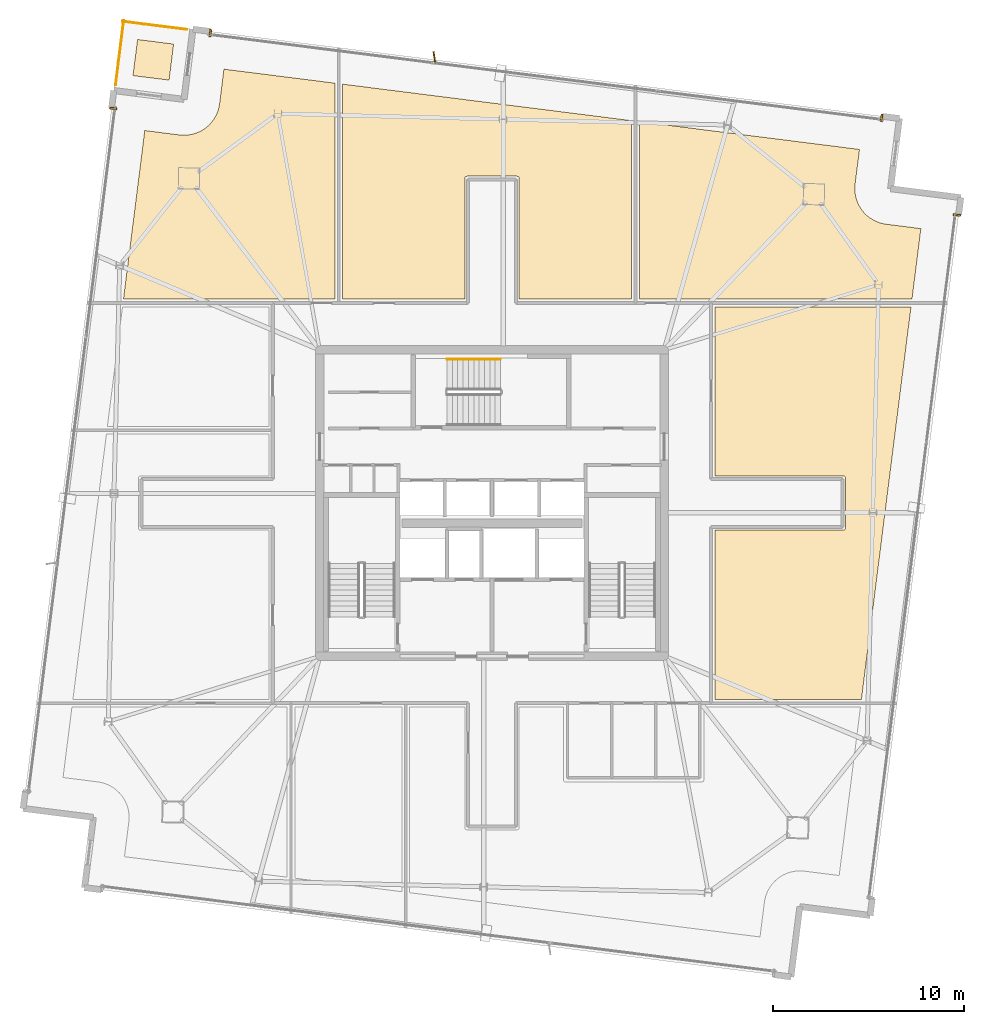
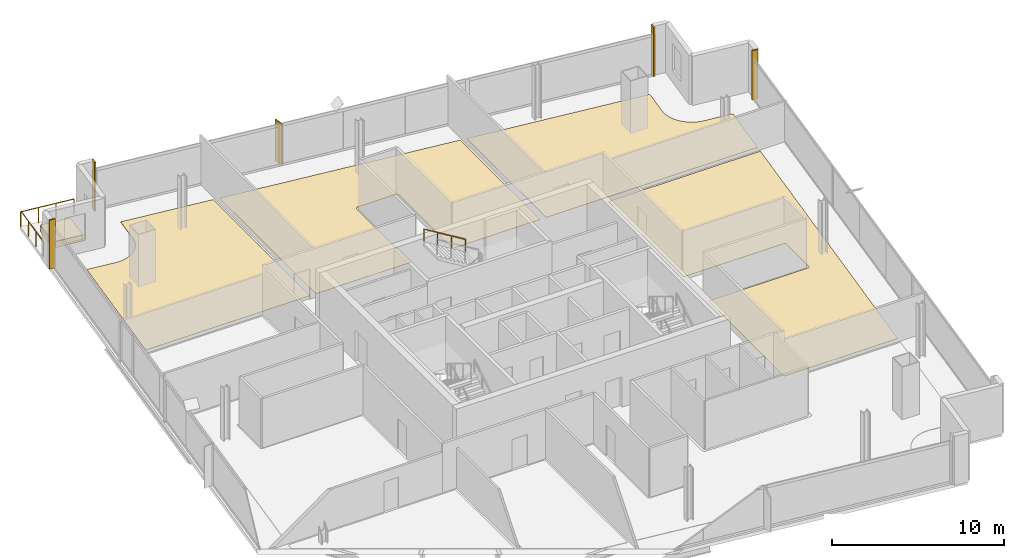
# One storey, part 23 of 23: 9 coverings, 3 railings, 1 shading device.
"""IFC4 building model written with IfcOpenShell, lengths in metres."""

from ifc_helpers import new_model, si_unit, direction, frame, origin, origin_2d, place, context, subcontext, project, spatial, polyline, rectangle, outline, extrude, source, transform, mapped, material, layer, layer_set, type_object, element, save


model = new_model("IFC4")

# Units and contexts
model_context = context("Model", 3, precision=1e-05, world=origin(), true_north=direction((0.0, 1.0)))
body_context = subcontext(model_context, "Body", "Model", "MODEL_VIEW")
ifc_project = project(units=[si_unit("LENGTHUNIT", "METRE"), si_unit("AREAUNIT", "SQUARE_METRE"), si_unit("VOLUMEUNIT", "CUBIC_METRE"), si_unit("PLANEANGLEUNIT", "RADIAN"), si_unit("MASSUNIT", "GRAM", prefix="KILO")], contexts=[model_context])

# Site, building, storey
site_placement = place(None, origin())
site = spatial("IfcSite", under=ifc_project, at=site_placement, CompositionType="ELEMENT")
building_placement = place(site_placement, origin())
building = spatial("IfcBuilding", under=site, at=building_placement, Name="Haldenkirk Collegiate Tower", CompositionType="ELEMENT")
storey_placement = place(building_placement, frame((0.0, 0.0, 306.449951171875)))
storey = spatial("IfcBuildingStorey", under=building, at=storey_placement, Name="L77", CompositionType="ELEMENT", Elevation=306.449951171875)

# Coverings
ifc_material_1 = material(Name="Polished collegiate terrazzo", Category="concrete")
ifc_layer_1 = layer(ifc_material_1, 0.02490234375)
ifc_layer_set_1 = layer_set([ifc_layer_1], Name="Polished collegiate terrazzo")
covering_type_1 = type_object("IfcCoveringType", Name="COV-FLOOR-TERRAZZO", PredefinedType="FLOORING", material=ifc_layer_set_1)
covering_1_placement = place(storey_placement, origin())
element("IfcCovering", 1, at=covering_1_placement, inside=storey, type_object=covering_type_1, Name="L77 academic room finish 04", PredefinedType="FLOORING", context=body_context, shape_type="SweptSolid", body=[
    extrude(outline(polyline([(19.68115234375, 45.226806640625), (19.68701171875, 45.226318359375), (19.858154296875, 45.213134765625), (19.8701171875, 45.212890625), (20.041748046875, 45.216552734375), (20.053466796875, 45.217529296875), (20.223876953125, 45.238037109375), (20.235595703125, 45.239990234375), (20.4033203125, 45.277099609375), (20.41455078125, 45.2802734375), (20.577880859375, 45.33349609375), (20.5888671875, 45.337890625), (20.74609375, 45.406982421875), (20.756591796875, 45.412109375), (20.90625, 45.496337890625), (20.916259765625, 45.502685546875), (21.056884765625, 45.60107421875), (21.066162109375, 45.6083984375), (21.196533203125, 45.72021484375), (21.205078125, 45.728271484375), (21.323974609375, 45.852294921875), (21.331787109375, 45.861083984375), (21.437744140625, 45.99609375), (21.444580078125, 46.005859375), (21.536865234375, 46.150634765625), (21.54248046875, 46.160888671875), (21.620361328125, 46.31396484375), (21.625, 46.32470703125), (21.6875, 46.48486328125), (21.691162109375, 46.49609375), (21.7373046875, 46.66162109375), (21.739990234375, 46.6728515625), (21.77001953125, 46.842041015625), (21.770751953125, 46.847900390625), (22.0, 48.663330078125), (27.800048828125, 47.9306640625), (27.800048828125, 36.64990234375), (16.7529296875, 36.64990234375), (17.865478515625, 45.456298828125), (19.68115234375, 45.226806640625)])), origin(), (0.0, 0.0, 1.0), 0.025146484375),
])
covering_2_placement = place(storey_placement, origin())
element("IfcCovering", 2, at=covering_2_placement, inside=storey, type_object=covering_type_1, Name="L77 academic room finish 06", PredefinedType="FLOORING", context=body_context, shape_type="SweptSolid", body=[
    extrude(outline(polyline([(55.1962890625, 44.4697265625), (54.966796875, 42.654296875), (54.96630859375, 42.6484375), (54.953125, 42.47705078125), (54.952880859375, 42.46533203125), (54.95654296875, 42.293701171875), (54.95751953125, 42.281982421875), (54.977783203125, 42.111328125), (54.979736328125, 42.099853515625), (55.016845703125, 41.93212890625), (55.02001953125, 41.9208984375), (55.073486328125, 41.757568359375), (55.07763671875, 41.74658203125), (55.146728515625, 41.58935546875), (55.152099609375, 41.578857421875), (55.236083984375, 41.42919921875), (55.242431640625, 41.419189453125), (55.341064453125, 41.2783203125), (55.34814453125, 41.26904296875), (55.4599609375, 41.138916015625), (55.468017578125, 41.130126953125), (55.592041015625, 41.011474609375), (55.60107421875, 41.003662109375), (55.736083984375, 40.897705078125), (55.74560546875, 40.890869140625), (55.890380859375, 40.798583984375), (55.900634765625, 40.792724609375), (56.053955078125, 40.715087890625), (56.064697265625, 40.710205078125), (56.224609375, 40.64794921875), (56.23583984375, 40.644287109375), (56.4013671875, 40.597900390625), (56.41259765625, 40.59521484375), (56.581787109375, 40.5654296875), (56.587646484375, 40.564453125), (58.4033203125, 40.335205078125), (57.937744140625, 36.64990234375), (43.699951171875, 36.64990234375), (43.699951171875, 45.922119140625), (55.1962890625, 44.4697265625)])), origin(), (0.0, 0.0, 1.0), 0.025146484375),
])
ifc_material_2 = material(Name="Engineered collegiate oak acoustic flooring", Category="wood")
ifc_layer_2 = layer(ifc_material_2, 0.02197265625)
ifc_layer_set_2 = layer_set([ifc_layer_2], Name="Engineered collegiate oak acoustic flooring")
covering_type_2 = type_object("IfcCoveringType", Name="COV-FLOOR-TIMBER", PredefinedType="FLOORING", material=ifc_layer_set_2)
covering_3_placement = place(storey_placement, origin())
element("IfcCovering", 3, at=covering_3_placement, inside=storey, type_object=covering_type_2, Name="L77 academic room finish 05", PredefinedType="FLOORING", context=body_context, shape_type="SweptSolid", body=[
    extrude(outline(polyline([(43.300048828125, 45.97265625), (43.300048828125, 36.64990234375), (37.419921875, 36.64990234375), (37.419921875, 42.949951171875), (37.41943359375, 42.9619140625), (37.417724609375, 42.973388671875), (37.414794921875, 42.98486328125), (37.410888671875, 42.995849609375), (37.40576171875, 43.006591796875), (37.39990234375, 43.0166015625), (37.392822265625, 43.026123046875), (37.385009765625, 43.034912109375), (37.376220703125, 43.042724609375), (37.36669921875, 43.0498046875), (37.356689453125, 43.055908203125), (37.345947265625, 43.060791015625), (37.334716796875, 43.064697265625), (37.323486328125, 43.067626953125), (37.311767578125, 43.0693359375), (37.300048828125, 43.070068359375), (34.699951171875, 43.070068359375), (34.688232421875, 43.0693359375), (34.676513671875, 43.067626953125), (34.665283203125, 43.064697265625), (34.654052734375, 43.060791015625), (34.643310546875, 43.055908203125), (34.63330078125, 43.0498046875), (34.623779296875, 43.042724609375), (34.614990234375, 43.034912109375), (34.607177734375, 43.026123046875), (34.60009765625, 43.0166015625), (34.59423828125, 43.006591796875), (34.589111328125, 42.995849609375), (34.585205078125, 42.98486328125), (34.582275390625, 42.973388671875), (34.58056640625, 42.9619140625), (34.580078125, 42.949951171875), (34.580078125, 36.64990234375), (28.199951171875, 36.64990234375), (28.199951171875, 47.880126953125), (43.300048828125, 45.97265625)])), origin(), (0.0, 0.0, 1.0), 0.02197265625),
])
covering_4_placement = place(storey_placement, origin())
element("IfcCovering", 4, at=covering_4_placement, inside=storey, type_object=covering_type_2, Name="L77 academic room finish 09", PredefinedType="FLOORING", context=body_context, shape_type="SweptSolid", body=[
    extrude(outline(polyline([(54.35009765625, 24.580078125), (54.36181640625, 24.58056640625), (54.373291015625, 24.582275390625), (54.384765625, 24.585205078125), (54.39599609375, 24.589111328125), (54.406494140625, 24.59423828125), (54.416748046875, 24.60009765625), (54.426025390625, 24.607177734375), (54.434814453125, 24.614990234375), (54.44287109375, 24.623779296875), (54.44970703125, 24.63330078125), (54.455810546875, 24.643310546875), (54.4609375, 24.654052734375), (54.46484375, 24.665283203125), (54.4677734375, 24.676513671875), (54.469482421875, 24.688232421875), (54.469970703125, 24.699951171875), (54.469970703125, 27.300048828125), (54.469482421875, 27.311767578125), (54.4677734375, 27.323486328125), (54.46484375, 27.334716796875), (54.4609375, 27.345947265625), (54.455810546875, 27.356689453125), (54.44970703125, 27.36669921875), (54.44287109375, 27.376220703125), (54.434814453125, 27.385009765625), (54.426025390625, 27.392822265625), (54.416748046875, 27.39990234375), (54.406494140625, 27.40576171875), (54.39599609375, 27.410888671875), (54.384765625, 27.414794921875), (54.373291015625, 27.417724609375), (54.36181640625, 27.41943359375), (54.35009765625, 27.419921875), (47.64990234375, 27.419921875), (47.64990234375, 36.25), (57.88720703125, 36.25), (55.297607421875, 15.75), (47.64990234375, 15.75), (47.64990234375, 24.580078125), (54.35009765625, 24.580078125)])), origin(), (0.0, 0.0, 1.0), 0.02197265625),
])
ifc_material_3 = material(Name="Precast concrete f'c 40 MPa", Category="concrete")
ifc_layer_3 = layer(ifc_material_3, 0.449951171875)
ifc_layer_set_3 = layer_set([ifc_layer_3], Name="Precast concrete f'c 40 MPa")
covering_type_3 = type_object("IfcCoveringType", Name="COV-PLANTER-450", PredefinedType="USERDEFINED", material=ifc_layer_set_3)
covering_5_placement = place(storey_placement, origin())
element("IfcCovering", 5, at=covering_5_placement, inside=storey, type_object=covering_type_3, Name="L77 planted garden planter bed", ObjectType="PLANTER", PredefinedType="USERDEFINED", context=body_context, shape_type="SweptSolid", body=[
    extrude(outline(polyline([(19.135498046875, 48.087890625), (17.250244140625, 48.325927734375), (17.488525390625, 50.2109375), (19.37353515625, 49.972900390625), (19.135498046875, 48.087890625)])), origin(), (0.0, 0.0, 1.0), 0.449951171875),
])

# Railings
ifc_material_4 = material(Name="Painted architectural tubular steel", Category="steel")
railing_type_1 = type_object("IfcRailingType", Name="RLG-STAIR-HANDRAIL-900", PredefinedType="HANDRAIL", material=ifc_material_4)
railing_1_placement = place(storey_placement, frame((36.449951171875, 33.5, 2.04541015625)))
element("IfcRailing", 6, at=railing_1_placement, inside=storey, type_object=railing_type_1, Name="L77 ST-3 stair handrail 2", PredefinedType="HANDRAIL", context=body_context, shape_type="SweptSolid", body=[
    extrude(rectangle(XDim=0.048095703125, YDim=0.048095703125, at=origin_2d()), frame((0.0, 0.0, 0.8759765625), z_axis=(-0.854169791009, 0.0, 0.51999420009), x_axis=(0.0, -1.0, 0.0)), (0.0, 0.0, 1.0), 3.278076171875),
    extrude(rectangle(XDim=0.0419921875, YDim=0.0419921875, at=origin_2d()), origin(), (0.0, 0.0, 1.0), 0.851806640625),
    extrude(rectangle(XDim=0.0419921875, YDim=0.0419921875, at=origin_2d()), frame((-0.933349609375, 0.0, 0.568115234375)), (0.0, 0.0, 1.0), 0.851806640625),
    extrude(rectangle(XDim=0.0419921875, YDim=0.0419921875, at=origin_2d()), frame((-1.86669921875, 0.0, 1.136474609375)), (0.0, 0.0, 1.0), 0.851806640625),
    extrude(rectangle(XDim=0.0419921875, YDim=0.0419921875, at=origin_2d()), frame((-2.800048828125, 0.0, 1.70458984375)), (0.0, 0.0, 1.0), 0.851806640625),
])
ifc_material_5 = material(Name="Anodised architectural bronze aluminium", Category="aluminium")
railing_type_2 = type_object("IfcRailingType", Name="RLG-TERR-BALUSTRADE-1100", PredefinedType="BALUSTRADE", material=ifc_material_5)
railing_2_placement = place(storey_placement, frame((20.05419921875, 50.733642578125, 0.0)))
element("IfcRailing", 7, at=railing_2_placement, inside=storey, type_object=railing_type_2, Name="L77 terrace guard balustrade 2-1", PredefinedType="BALUSTRADE", context=body_context, shape_type="SweptSolid", body=[
    extrude(rectangle(XDim=0.048095703125, YDim=0.048095703125, at=origin_2d()), frame((0.0, 0.0, 1.076171875), z_axis=(-0.992115904942, 0.125323705502, 0.0), x_axis=(-0.125323705502, -0.992115904942, 0.0)), (0.0, 0.0, 1.0), 3.3798828125),
    extrude(rectangle(XDim=0.0419921875, YDim=0.0419921875, at=origin_2d()), origin(), (0.0, 0.0, 1.0), 1.052001953125),
    extrude(rectangle(XDim=0.0419921875, YDim=0.0419921875, at=origin_2d()), frame((-1.11767578125, 0.14111328125, 0.0)), (0.0, 0.0, 1.0), 1.052001953125),
    extrude(rectangle(XDim=0.0419921875, YDim=0.0419921875, at=origin_2d()), frame((-2.235595703125, 0.282470703125, 0.0)), (0.0, 0.0, 1.0), 1.052001953125),
    extrude(rectangle(XDim=0.0419921875, YDim=0.0419921875, at=origin_2d()), frame((-3.353271484375, 0.423583984375, 0.0)), (0.0, 0.0, 1.0), 1.052001953125),
])
railing_3_placement = place(storey_placement, frame((16.767822265625, 51.209228515625, 0.0)))
element("IfcRailing", 8, at=railing_3_placement, inside=storey, type_object=railing_type_2, Name="L77 terrace guard balustrade 3-1", PredefinedType="BALUSTRADE", context=body_context, shape_type="SweptSolid", body=[
    extrude(rectangle(XDim=0.048095703125, YDim=0.048095703125, at=origin_2d()), frame((0.0, 0.0, 1.076171875), z_axis=(-0.125323705502, -0.992115904942, 0.0), x_axis=(0.992115904942, -0.125323705502, 0.0)), (0.0, 0.0, 1.0), 3.3798828125),
    extrude(rectangle(XDim=0.0419921875, YDim=0.0419921875, at=origin_2d()), origin(), (0.0, 0.0, 1.0), 1.052001953125),
    extrude(rectangle(XDim=0.0419921875, YDim=0.0419921875, at=origin_2d()), frame((-0.14111328125, -1.11767578125, 0.0)), (0.0, 0.0, 1.0), 1.052001953125),
    extrude(rectangle(XDim=0.0419921875, YDim=0.0419921875, at=origin_2d()), frame((-0.282470703125, -2.235595703125, 0.0)), (0.0, 0.0, 1.0), 1.052001953125),
    extrude(rectangle(XDim=0.0419921875, YDim=0.0419921875, at=origin_2d()), frame((-0.423583984375, -3.353271484375, 0.0)), (0.0, 0.0, 1.0), 1.052001953125),
])

# Coverings
ifc_layer_4 = layer(ifc_material_5, 0.06005859375)
ifc_layer_set_4 = layer_set([ifc_layer_4], Name="Anodised architectural bronze aluminium")
covering_type_4 = type_object("IfcCoveringType", Name="COV-CLAD-BRONZE-60", PredefinedType="CLADDING", material=ifc_layer_set_4)
shared_shape_1 = source(origin(), body_context, "Body", "SweptSolid", [
    extrude(rectangle(XDim=0.10009765625, YDim=0.3798828125, at=origin_2d()), origin(), (0.0, 0.0, 1.0), 3.489990234375),
])
for number, where, z_axis, x_axis, name in (
    (9, (60.287109375, 41.044677734375, 0.0), (0.0, 0.0, 1.0), (-0.125333233564, -0.992114701314, 0.0), "L77 recessed curtain-wall bronze jamb closure SJL"),
    (10, (21.29052734375, 50.547119140625, 0.0), (0.0, 0.0, 1.0), (0.992114701314, -0.125333233564, 0.0), "L77 recessed curtain-wall bronze jamb closure EJL"),
    (11, (56.35205078125, 46.117919921875, 0.0), (0.0, 0.0, 1.0), (0.992114701314, -0.125333233564, 0.0), "L77 recessed curtain-wall bronze jamb closure EJR"),
    (12, (16.21728515625, 46.612060546875, 0.0), (0.0, 0.0, 1.0), (0.125333233564, 0.992114701314, 0.0), "L77 recessed curtain-wall bronze jamb closure NJR"),
):
    element("IfcCovering", number, at=place(storey_placement, frame(where, z_axis=z_axis, x_axis=x_axis)), inside=storey, type_object=covering_type_4, Name=name, PredefinedType="CLADDING", context=body_context, shape_type="MappedRepresentation", body=[
        mapped(shared_shape_1, transform((0.0, 0.0, 0.0), x_axis=(1.0, 0.0, 0.0), y_axis=(0.0, 1.0, 0.0), z_axis=(0.0, 0.0, 1.0), scale=1.0)),
    ])

# Shading device
ifc_layer_5 = layer(ifc_material_5, 0.06494140625)
ifc_layer_set_5 = layer_set([ifc_layer_5], Name="Anodised architectural bronze aluminium")
shading_device_type = type_object("IfcShadingDeviceType", Name="SHD-FIN-BRONZE-620", PredefinedType="USERDEFINED", material=ifc_layer_set_5)
shared_shape_2 = source(origin(), body_context, "Body", "SweptSolid", [
    extrude(rectangle(XDim=0.6201171875, YDim=0.06494140625, at=origin_2d()), origin(), (0.0, 0.0, 1.0), 2.947998046875),
])
shading_device_placement = place(storey_placement, frame((32.993408203125, 49.275390625, 0.0), z_axis=(0.0, 0.0, 1.0), x_axis=(-0.152985836284, 0.988228381447, 0.0)))
element("IfcShadingDevice", 13, at=shading_device_placement, inside=storey, type_object=shading_device_type, Name="L77 folded bronze solar fin 1", ObjectType="FIN", PredefinedType="USERDEFINED", context=body_context, shape_type="MappedRepresentation", body=[
    mapped(shared_shape_2, transform((0.0, 0.0, 0.0), x_axis=(1.0, 0.0, 0.0), y_axis=(0.0, 1.0, 0.0), z_axis=(0.0, 0.0, 1.0), scale=1.0)),
])

save(model, "model.ifc")
